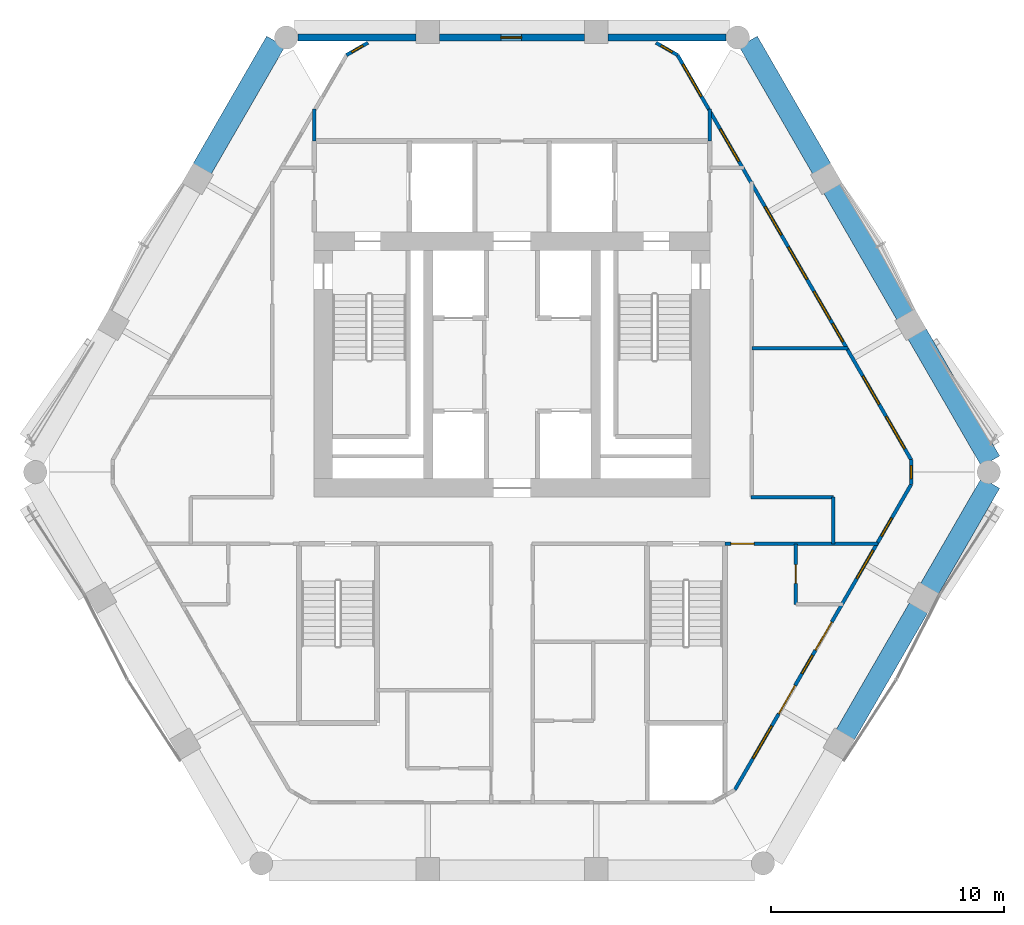
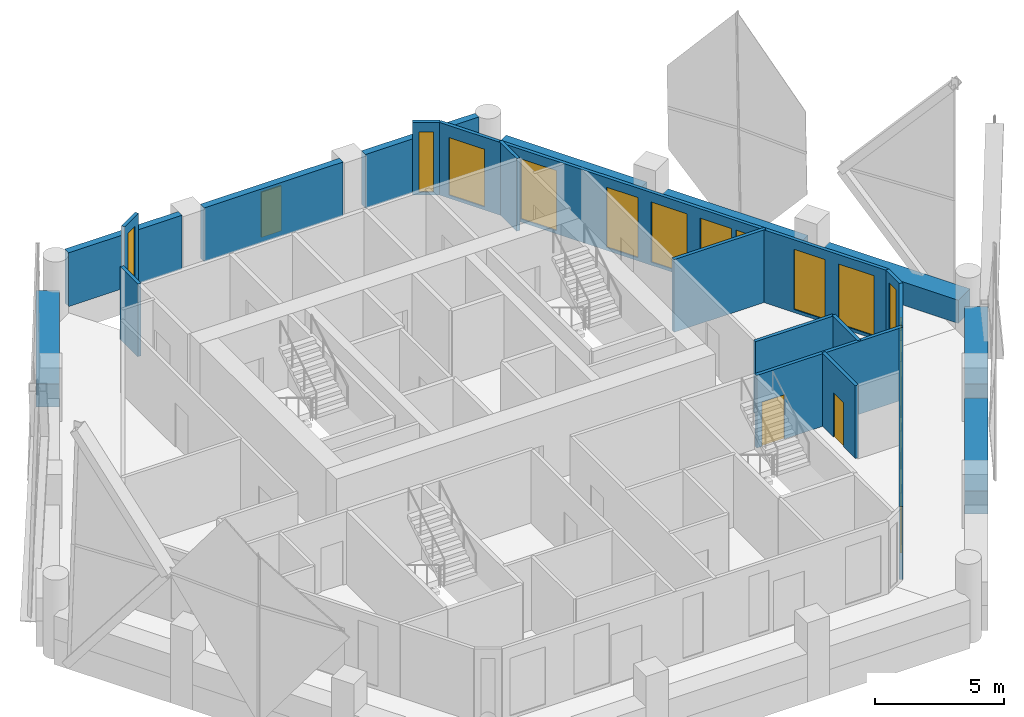
# One storey, part 10 of 13: 21 walls, 16 windows, 4 doors, 20 openings.
"""IFC4 building model written with IfcOpenShell, lengths in metres."""

from ifc_helpers import new_model, si_unit, direction, frame, frame_2d, origin, place, context, subcontext, project, spatial, rectangle, extrude, material, layer, layer_set, type_object, element, fill, save


model = new_model("IFC4")

# Units and contexts
model_context = context("Model", 3, precision=1e-05, world=origin(), true_north=direction((0.0, 1.0)))
body_context = subcontext(model_context, "Body", "Model", "MODEL_VIEW")
ifc_project = project(units=[si_unit("LENGTHUNIT", "METRE"), si_unit("AREAUNIT", "SQUARE_METRE"), si_unit("VOLUMEUNIT", "CUBIC_METRE"), si_unit("PLANEANGLEUNIT", "RADIAN"), si_unit("MASSUNIT", "GRAM", prefix="KILO")], contexts=[model_context])

# Site, building, storey
site_placement = place(None, origin())
site = spatial("IfcSite", under=ifc_project, at=site_placement, CompositionType="ELEMENT")
building_placement = place(site_placement, origin())
building = spatial("IfcBuilding", under=site, at=building_placement, Name="Ostrander Bayou Hotel Tower", CompositionType="ELEMENT")
storey_placement = place(building_placement, frame((0.0, 0.0, 187.0)))
storey = spatial("IfcBuildingStorey", under=building, at=storey_placement, Name="L46", CompositionType="ELEMENT", Elevation=187.0)

# Wall, openings, doors, windows
ifc_material_1 = material(Name="Aluminium framed insulated wall", Category="aluminium")
ifc_layer_1 = layer(ifc_material_1, 0.14990234375)
ifc_layer_set_1 = layer_set([ifc_layer_1], Name="GW1 glass-line wall 150 mm")
wall_type_1 = type_object("IfcWallType", Name="GW1 glass-line wall 150 mm", PredefinedType="SOLIDWALL", material=ifc_layer_set_1)
wall_1_placement = place(storey_placement, frame((9.572021484375, -14.2705078125, 0.0), z_axis=(0.0, 0.0, 1.0), x_axis=(0.500005248668, 0.866022373443, 0.0)))
wall_1 = element("IfcWall", 1, at=wall_1_placement, inside=storey, type_object=wall_type_1, Name="GW1 L46 SE 1", PredefinedType="SOLIDWALL", context=body_context, shape_type="SweptSolid", body=[
    extrude(rectangle(XDim=15.145263671875, YDim=0.14990234375, at=frame_2d((7.57275390625, 0.0))), origin(), (0.0, 0.0, 1.0), 3.449951171875),
])
opening_1_placement = place(wall_1_placement, frame((1.57275390625, 0.0, 0.14990234375)))
opening_1 = element("IfcOpeningElement", 2, at=opening_1_placement, cuts=wall_1, Name="Opening W3", PredefinedType="OPENING", context=body_context, shape_type="SweptSolid", body=[
    extrude(rectangle(XDim=1.60009765625, YDim=2.85009765625, at=frame_2d((0.800048828125, 1.425048828125))), frame((0.0, 0.074951171875, 0.0), z_axis=(0.0, -1.0, 0.0), x_axis=(1.0, 0.0, 0.0)), (0.0, 0.0, 1.0), 0.14990234375),
])
opening_2_placement = place(wall_1_placement, frame((3.772705078125, 0.0, 0.0)))
opening_2 = element("IfcOpeningElement", 3, at=opening_2_placement, cuts=wall_1, Name="Opening T44-804", PredefinedType="OPENING", context=body_context, shape_type="SweptSolid", body=[
    extrude(rectangle(XDim=1.39990234375, YDim=2.39990234375, at=frame_2d((0.699951171875, 1.199951171875))), frame((0.0, 0.074951171875, 0.0), z_axis=(0.0, -1.0, 0.0), x_axis=(1.0, 0.0, 0.0)), (0.0, 0.0, 1.0), 0.14990234375),
])
opening_3_placement = place(wall_1_placement, frame((5.772705078125, 0.0, 0.14990234375)))
opening_3 = element("IfcOpeningElement", 4, at=opening_3_placement, cuts=wall_1, Name="Opening W17", PredefinedType="OPENING", context=body_context, shape_type="SweptSolid", body=[
    extrude(rectangle(XDim=0.89990234375, YDim=2.85009765625, at=frame_2d((0.449951171875, 1.425048828125))), frame((0.0, 0.074951171875, 0.0), z_axis=(0.0, -1.0, 0.0), x_axis=(1.0, 0.0, 0.0)), (0.0, 0.0, 1.0), 0.14990234375),
])
opening_4_placement = place(wall_1_placement, frame((6.9296875, 0.0, 0.0)))
opening_4 = element("IfcOpeningElement", 5, at=opening_4_placement, cuts=wall_1, Name="Opening T44-805", PredefinedType="OPENING", context=body_context, shape_type="SweptSolid", body=[
    extrude(rectangle(XDim=1.39990234375, YDim=2.39990234375, at=frame_2d((0.699951171875, 1.199951171875))), frame((0.0, 0.074951171875, 0.0), z_axis=(0.0, -1.0, 0.0), x_axis=(1.0, 0.0, 0.0)), (0.0, 0.0, 1.0), 0.14990234375),
])
opening_5_placement = place(wall_1_placement, frame((12.581787109375, 0.0, 0.14990234375)))
opening_5 = element("IfcOpeningElement", 6, at=opening_5_placement, cuts=wall_1, Name="Opening W17", PredefinedType="OPENING", context=body_context, shape_type="SweptSolid", body=[
    extrude(rectangle(XDim=0.89990234375, YDim=2.85009765625, at=frame_2d((0.449951171875, 1.425048828125))), frame((0.0, 0.074951171875, 0.0), z_axis=(0.0, -1.0, 0.0), x_axis=(1.0, 0.0, 0.0)), (0.0, 0.0, 1.0), 0.14990234375),
])
opening_6_placement = place(wall_1_placement, frame((10.48193359375, 0.0, 0.14990234375)))
opening_6 = element("IfcOpeningElement", 7, at=opening_6_placement, cuts=wall_1, Name="Opening W13", PredefinedType="OPENING", context=body_context, shape_type="SweptSolid", body=[
    extrude(rectangle(XDim=1.39990234375, YDim=2.85009765625, at=frame_2d((0.699951171875, 1.425048828125))), frame((0.0, 0.074951171875, 0.0), z_axis=(0.0, -1.0, 0.0), x_axis=(1.0, 0.0, 0.0)), (0.0, 0.0, 1.0), 0.14990234375),
])
ifc_material_2 = material(Name="Aluminium and clear glass", Category="aluminium")
door_type_1 = type_object("IfcDoorType", Name="SD3 sliding glass door 1400 mm, zone 3", OperationType="SLIDING_TO_LEFT", PredefinedType="DOOR", material=ifc_material_2)
door_1_placement = place(opening_2_placement, origin())
door_1 = element("IfcDoor", 8, at=door_1_placement, inside=storey, type_object=door_type_1, Name="SD3 L46 SE 1", OperationType="SLIDING_TO_LEFT", OverallHeight=2.39990234375, OverallWidth=1.39990234375, PredefinedType="DOOR", context=body_context, shape_type="SweptSolid", body=[
    extrude(rectangle(XDim=1.39990234375, YDim=2.39990234375, at=frame_2d((0.699951171875, 1.199951171875))), frame((0.0, 0.02490234375, 0.0), z_axis=(0.0, -1.0, 0.0), x_axis=(1.0, 0.0, 0.0)), (0.0, 0.0, 1.0), 0.050048828125),
])
fill(opening_2, door_1)
door_2_placement = place(opening_4_placement, origin())
door_2 = element("IfcDoor", 9, at=door_2_placement, inside=storey, type_object=door_type_1, Name="SD3 L46 SE 2", OperationType="SLIDING_TO_RIGHT", OverallHeight=2.39990234375, OverallWidth=1.39990234375, PredefinedType="DOOR", context=body_context, shape_type="SweptSolid", body=[
    extrude(rectangle(XDim=1.39990234375, YDim=2.39990234375, at=frame_2d((0.699951171875, 1.199951171875))), frame((0.0, 0.02490234375, 0.0), z_axis=(0.0, -1.0, 0.0), x_axis=(1.0, 0.0, 0.0)), (0.0, 0.0, 1.0), 0.050048828125),
])
fill(opening_4, door_2)
ifc_material_3 = material(Name="Aluminium and clear glass", Category="aluminium")
window_type_1 = type_object("IfcWindowType", Name="W13 fixed window 1400 mm, bath bay, zone 3", PartitioningType="SINGLE_PANEL", PredefinedType="WINDOW", material=ifc_material_3)
window_1_placement = place(opening_6_placement, origin())
window_1 = element("IfcWindow", 10, at=window_1_placement, inside=storey, type_object=window_type_1, Name="W13 L46 SE 3", OverallHeight=2.85009765625, OverallWidth=1.39990234375, PartitioningType="SINGLE_PANEL", PredefinedType="WINDOW", context=body_context, shape_type="SweptSolid", body=[
    extrude(rectangle(XDim=1.39990234375, YDim=2.85009765625, at=frame_2d((0.699951171875, 1.425048828125))), frame((0.0, 0.030029296875, 0.0), z_axis=(0.0, -1.0, 0.0), x_axis=(1.0, 0.0, 0.0)), (0.0, 0.0, 1.0), 0.06005859375),
])
fill(opening_6, window_1)
ifc_material_4 = material(Name="Aluminium and clear glass", Category="aluminium")
window_type_2 = type_object("IfcWindowType", Name="W17 window 900 mm, zone 3", PartitioningType="SINGLE_PANEL", PredefinedType="WINDOW", material=ifc_material_4)
window_2_placement = place(opening_3_placement, origin())
window_2 = element("IfcWindow", 11, at=window_2_placement, inside=storey, type_object=window_type_2, Name="W17 L46 SE 2", OverallHeight=2.85009765625, OverallWidth=0.89990234375, PartitioningType="SINGLE_PANEL", PredefinedType="WINDOW", context=body_context, shape_type="SweptSolid", body=[
    extrude(rectangle(XDim=0.89990234375, YDim=2.85009765625, at=frame_2d((0.449951171875, 1.425048828125))), frame((0.0, 0.030029296875, 0.0), z_axis=(0.0, -1.0, 0.0), x_axis=(1.0, 0.0, 0.0)), (0.0, 0.0, 1.0), 0.06005859375),
])
fill(opening_3, window_2)
window_3_placement = place(opening_5_placement, origin())
window_3 = element("IfcWindow", 12, at=window_3_placement, inside=storey, type_object=window_type_2, Name="W17 L46 SE 3", OverallHeight=2.85009765625, OverallWidth=0.89990234375, PartitioningType="SINGLE_PANEL", PredefinedType="WINDOW", context=body_context, shape_type="SweptSolid", body=[
    extrude(rectangle(XDim=0.89990234375, YDim=2.85009765625, at=frame_2d((0.449951171875, 1.425048828125))), frame((0.0, 0.030029296875, 0.0), z_axis=(0.0, -1.0, 0.0), x_axis=(1.0, 0.0, 0.0)), (0.0, 0.0, 1.0), 0.06005859375),
])
fill(opening_5, window_3)
ifc_material_5 = material(Name="Aluminium and clear glass", Category="aluminium")
window_type_3 = type_object("IfcWindowType", Name="W3 fixed window 1600 mm, zone 3", PartitioningType="SINGLE_PANEL", PredefinedType="WINDOW", material=ifc_material_5)
window_4_placement = place(opening_1_placement, origin())
window_4 = element("IfcWindow", 13, at=window_4_placement, inside=storey, type_object=window_type_3, Name="W3 L46 SE 1", OverallHeight=2.85009765625, OverallWidth=1.60009765625, PartitioningType="SINGLE_PANEL", PredefinedType="WINDOW", context=body_context, shape_type="SweptSolid", body=[
    extrude(rectangle(XDim=1.60009765625, YDim=2.85009765625, at=frame_2d((0.800048828125, 1.425048828125))), frame((0.0, 0.030029296875, 0.0), z_axis=(0.0, -1.0, 0.0), x_axis=(1.0, 0.0, 0.0)), (0.0, 0.0, 1.0), 0.06005859375),
])
fill(opening_1, window_4)

# Wall, openings, windows
wall_2_placement = place(storey_placement, frame((17.144775390625, -0.08935546875, 0.0), z_axis=(0.0, 0.0, 1.0), x_axis=(-0.499999728453, 0.866025560562, 0.0)))
wall_2 = element("IfcWall", 14, at=wall_2_placement, inside=storey, type_object=wall_type_1, Name="GW1 L46 NE 1", PredefinedType="SOLIDWALL", context=body_context, shape_type="SweptSolid", body=[
    extrude(rectangle(XDim=20.07080078125, YDim=0.14990234375, at=frame_2d((10.035400390625, 0.0))), origin(), (0.0, 0.0, 1.0), 3.449951171875),
])
opening_7_placement = place(wall_2_placement, frame((0.5498046875, 0.0, 0.14990234375)))
opening_7 = element("IfcOpeningElement", 15, at=opening_7_placement, cuts=wall_2, Name="Opening W3", PredefinedType="OPENING", context=body_context, shape_type="SweptSolid", body=[
    extrude(rectangle(XDim=1.60009765625, YDim=2.85009765625, at=frame_2d((0.800048828125, 1.425048828125))), frame((0.0, 0.074951171875, 0.0), z_axis=(0.0, -1.0, 0.0), x_axis=(1.0, 0.0, 0.0)), (0.0, 0.0, 1.0), 0.14990234375),
])
opening_8_placement = place(wall_2_placement, frame((2.749755859375, 0.0, 0.14990234375)))
opening_8 = element("IfcOpeningElement", 16, at=opening_8_placement, cuts=wall_2, Name="Opening W13", PredefinedType="OPENING", context=body_context, shape_type="SweptSolid", body=[
    extrude(rectangle(XDim=1.39990234375, YDim=2.85009765625, at=frame_2d((0.699951171875, 1.425048828125))), frame((0.0, 0.074951171875, 0.0), z_axis=(0.0, -1.0, 0.0), x_axis=(1.0, 0.0, 0.0)), (0.0, 0.0, 1.0), 0.14990234375),
])
opening_9_placement = place(wall_2_placement, frame((5.85400390625, 0.0, 0.14990234375)))
opening_9 = element("IfcOpeningElement", 17, at=opening_9_placement, cuts=wall_2, Name="Opening W17", PredefinedType="OPENING", context=body_context, shape_type="SweptSolid", body=[
    extrude(rectangle(XDim=0.89990234375, YDim=2.85009765625, at=frame_2d((0.449951171875, 1.425048828125))), frame((0.0, 0.074951171875, 0.0), z_axis=(0.0, -1.0, 0.0), x_axis=(1.0, 0.0, 0.0)), (0.0, 0.0, 1.0), 0.14990234375),
])
opening_10_placement = place(wall_2_placement, frame((6.94970703125, 0.0, 0.14990234375)))
opening_10 = element("IfcOpeningElement", 18, at=opening_10_placement, cuts=wall_2, Name="Opening W13", PredefinedType="OPENING", context=body_context, shape_type="SweptSolid", body=[
    extrude(rectangle(XDim=1.39990234375, YDim=2.85009765625, at=frame_2d((0.699951171875, 1.425048828125))), frame((0.0, 0.074951171875, 0.0), z_axis=(0.0, -1.0, 0.0), x_axis=(1.0, 0.0, 0.0)), (0.0, 0.0, 1.0), 0.14990234375),
])
opening_11_placement = place(wall_2_placement, frame((8.94970703125, 0.0, 0.14990234375)))
opening_11 = element("IfcOpeningElement", 19, at=opening_11_placement, cuts=wall_2, Name="Opening W3", PredefinedType="OPENING", context=body_context, shape_type="SweptSolid", body=[
    extrude(rectangle(XDim=1.60009765625, YDim=2.85009765625, at=frame_2d((0.800048828125, 1.425048828125))), frame((0.0, 0.074951171875, 0.0), z_axis=(0.0, -1.0, 0.0), x_axis=(1.0, 0.0, 0.0)), (0.0, 0.0, 1.0), 0.14990234375),
])
opening_12_placement = place(wall_2_placement, frame((11.14990234375, 0.0, 0.14990234375)))
opening_12 = element("IfcOpeningElement", 20, at=opening_12_placement, cuts=wall_2, Name="Opening W13", PredefinedType="OPENING", context=body_context, shape_type="SweptSolid", body=[
    extrude(rectangle(XDim=1.39990234375, YDim=2.85009765625, at=frame_2d((0.699951171875, 1.425048828125))), frame((0.0, 0.074951171875, 0.0), z_axis=(0.0, -1.0, 0.0), x_axis=(1.0, 0.0, 0.0)), (0.0, 0.0, 1.0), 0.14990234375),
])
opening_13_placement = place(wall_2_placement, frame((14.80322265625, 0.0, 0.14990234375)))
opening_13 = element("IfcOpeningElement", 21, at=opening_13_placement, cuts=wall_2, Name="Opening W3", PredefinedType="OPENING", context=body_context, shape_type="SweptSolid", body=[
    extrude(rectangle(XDim=1.60009765625, YDim=2.85009765625, at=frame_2d((0.800048828125, 1.425048828125))), frame((0.0, 0.074951171875, 0.0), z_axis=(0.0, -1.0, 0.0), x_axis=(1.0, 0.0, 0.0)), (0.0, 0.0, 1.0), 0.14990234375),
])
opening_14_placement = place(wall_2_placement, frame((18.019287109375, 0.0, 0.14990234375)))
opening_14 = element("IfcOpeningElement", 22, at=opening_14_placement, cuts=wall_2, Name="Opening W3", PredefinedType="OPENING", context=body_context, shape_type="SweptSolid", body=[
    extrude(rectangle(XDim=1.60009765625, YDim=2.72998046875, at=frame_2d((0.800048828125, 1.364990234375))), frame((0.0, 0.074951171875, 0.0), z_axis=(0.0, -1.0, 0.0), x_axis=(1.0, 0.0, 0.0)), (0.0, 0.0, 1.0), 0.14990234375),
])
window_5_placement = place(opening_8_placement, origin())
window_5 = element("IfcWindow", 23, at=window_5_placement, inside=storey, type_object=window_type_1, Name="W13 L46 NE 1", OverallHeight=2.85009765625, OverallWidth=1.39990234375, PartitioningType="SINGLE_PANEL", PredefinedType="WINDOW", context=body_context, shape_type="SweptSolid", body=[
    extrude(rectangle(XDim=1.39990234375, YDim=2.85009765625, at=frame_2d((0.699951171875, 1.425048828125))), frame((0.0, 0.030029296875, 0.0), z_axis=(0.0, -1.0, 0.0), x_axis=(1.0, 0.0, 0.0)), (0.0, 0.0, 1.0), 0.06005859375),
])
fill(opening_8, window_5)
window_6_placement = place(opening_10_placement, origin())
window_6 = element("IfcWindow", 24, at=window_6_placement, inside=storey, type_object=window_type_1, Name="W13 L46 NE 2", OverallHeight=2.85009765625, OverallWidth=1.39990234375, PartitioningType="SINGLE_PANEL", PredefinedType="WINDOW", context=body_context, shape_type="SweptSolid", body=[
    extrude(rectangle(XDim=1.39990234375, YDim=2.85009765625, at=frame_2d((0.699951171875, 1.425048828125))), frame((0.0, 0.030029296875, 0.0), z_axis=(0.0, -1.0, 0.0), x_axis=(1.0, 0.0, 0.0)), (0.0, 0.0, 1.0), 0.06005859375),
])
fill(opening_10, window_6)
window_7_placement = place(opening_12_placement, origin())
window_7 = element("IfcWindow", 25, at=window_7_placement, inside=storey, type_object=window_type_1, Name="W13 L46 NE 3", OverallHeight=2.85009765625, OverallWidth=1.39990234375, PartitioningType="SINGLE_PANEL", PredefinedType="WINDOW", context=body_context, shape_type="SweptSolid", body=[
    extrude(rectangle(XDim=1.39990234375, YDim=2.85009765625, at=frame_2d((0.699951171875, 1.425048828125))), frame((0.0, 0.030029296875, 0.0), z_axis=(0.0, -1.0, 0.0), x_axis=(1.0, 0.0, 0.0)), (0.0, 0.0, 1.0), 0.06005859375),
])
fill(opening_12, window_7)
window_8_placement = place(opening_9_placement, origin())
window_8 = element("IfcWindow", 26, at=window_8_placement, inside=storey, type_object=window_type_2, Name="W17 L46 NE 2", OverallHeight=2.85009765625, OverallWidth=0.89990234375, PartitioningType="SINGLE_PANEL", PredefinedType="WINDOW", context=body_context, shape_type="SweptSolid", body=[
    extrude(rectangle(XDim=0.89990234375, YDim=2.85009765625, at=frame_2d((0.449951171875, 1.425048828125))), frame((0.0, 0.030029296875, 0.0), z_axis=(0.0, -1.0, 0.0), x_axis=(1.0, 0.0, 0.0)), (0.0, 0.0, 1.0), 0.06005859375),
])
fill(opening_9, window_8)
window_9_placement = place(opening_7_placement, origin())
window_9 = element("IfcWindow", 27, at=window_9_placement, inside=storey, type_object=window_type_3, Name="W3 L46 NE 1", OverallHeight=2.85009765625, OverallWidth=1.60009765625, PartitioningType="SINGLE_PANEL", PredefinedType="WINDOW", context=body_context, shape_type="SweptSolid", body=[
    extrude(rectangle(XDim=1.60009765625, YDim=2.85009765625, at=frame_2d((0.800048828125, 1.425048828125))), frame((0.0, 0.030029296875, 0.0), z_axis=(0.0, -1.0, 0.0), x_axis=(1.0, 0.0, 0.0)), (0.0, 0.0, 1.0), 0.06005859375),
])
fill(opening_7, window_9)
window_10_placement = place(opening_11_placement, origin())
window_10 = element("IfcWindow", 28, at=window_10_placement, inside=storey, type_object=window_type_3, Name="W3 L46 NE 3", OverallHeight=2.85009765625, OverallWidth=1.60009765625, PartitioningType="SINGLE_PANEL", PredefinedType="WINDOW", context=body_context, shape_type="SweptSolid", body=[
    extrude(rectangle(XDim=1.60009765625, YDim=2.85009765625, at=frame_2d((0.800048828125, 1.425048828125))), frame((0.0, 0.030029296875, 0.0), z_axis=(0.0, -1.0, 0.0), x_axis=(1.0, 0.0, 0.0)), (0.0, 0.0, 1.0), 0.06005859375),
])
fill(opening_11, window_10)
window_11_placement = place(opening_13_placement, origin())
window_11 = element("IfcWindow", 29, at=window_11_placement, inside=storey, type_object=window_type_3, Name="W3 L46 NE 4", OverallHeight=2.85009765625, OverallWidth=1.60009765625, PartitioningType="SINGLE_PANEL", PredefinedType="WINDOW", context=body_context, shape_type="SweptSolid", body=[
    extrude(rectangle(XDim=1.60009765625, YDim=2.85009765625, at=frame_2d((0.800048828125, 1.425048828125))), frame((0.0, 0.030029296875, 0.0), z_axis=(0.0, -1.0, 0.0), x_axis=(1.0, 0.0, 0.0)), (0.0, 0.0, 1.0), 0.06005859375),
])
fill(opening_13, window_11)
window_12_placement = place(opening_14_placement, origin())
window_12 = element("IfcWindow", 30, at=window_12_placement, inside=storey, type_object=window_type_3, Name="W3 L46 NE E21", OverallHeight=2.72998046875, OverallWidth=1.60009765625, PartitioningType="SINGLE_PANEL", PredefinedType="WINDOW", context=body_context, shape_type="SweptSolid", body=[
    extrude(rectangle(XDim=1.60009765625, YDim=2.72998046875, at=frame_2d((0.800048828125, 1.364990234375))), frame((0.0, 0.030029296875, 0.0), z_axis=(0.0, -1.0, 0.0), x_axis=(1.0, 0.0, 0.0)), (0.0, 0.0, 1.0), 0.06005859375),
])
fill(opening_14, window_12)

# Wall, opening, window
wall_3_placement = place(storey_placement, frame((-6.18701171875, 17.824951171875, 0.0), z_axis=(0.0, 0.0, 1.0), x_axis=(-0.866048165231, -0.499960573946, 0.0)))
wall_3 = element("IfcWall", 31, at=wall_3_placement, inside=storey, type_object=wall_type_1, Name="GW1 L46 corner 1", PredefinedType="SOLIDWALL", context=body_context, shape_type="SweptSolid", body=[
    extrude(rectangle(XDim=1.06494140625, YDim=0.14990234375, at=frame_2d((0.532470703125, 0.0))), origin(), (0.0, 0.0, 1.0), 3.449951171875),
])
opening_15_placement = place(wall_3_placement, frame((0.257568359375, 0.0, 0.14990234375)))
opening_15 = element("IfcOpeningElement", 32, at=opening_15_placement, cuts=wall_3, Name="Opening W19", PredefinedType="OPENING", context=body_context, shape_type="SweptSolid", body=[
    extrude(rectangle(XDim=0.550048828125, YDim=2.85009765625, at=frame_2d((0.27490234375, 1.425048828125))), frame((0.0, 0.074951171875, 0.0), z_axis=(0.0, -1.0, 0.0), x_axis=(1.0, 0.0, 0.0)), (0.0, 0.0, 1.0), 0.14990234375),
])
ifc_material_6 = material(Name="Aluminium and clear glass", Category="aluminium")
window_type_4 = type_object("IfcWindowType", Name="W19 corner window 550 mm", PartitioningType="SINGLE_PANEL", PredefinedType="WINDOW", material=ifc_material_6)
window_13_placement = place(opening_15_placement, origin())
window_13 = element("IfcWindow", 33, at=window_13_placement, inside=storey, type_object=window_type_4, Name="W19 L46 corner 1", OverallHeight=2.85009765625, OverallWidth=0.550048828125, PartitioningType="SINGLE_PANEL", PredefinedType="WINDOW", context=body_context, shape_type="SweptSolid", body=[
    extrude(rectangle(XDim=0.550048828125, YDim=2.85009765625, at=frame_2d((0.27490234375, 1.425048828125))), frame((0.0, 0.030029296875, 0.0), z_axis=(0.0, -1.0, 0.0), x_axis=(1.0, 0.0, 0.0)), (0.0, 0.0, 1.0), 0.06005859375),
])
fill(opening_15, window_13)

wall_4_placement = place(storey_placement, frame((17.144775390625, -1.154296875, 0.0), z_axis=(0.0, 0.0, 1.0), x_axis=(0.0, 1.0, 0.0)))
wall_4 = element("IfcWall", 34, at=wall_4_placement, inside=storey, type_object=wall_type_1, Name="GW1 L46 corner 5", PredefinedType="SOLIDWALL", context=body_context, shape_type="SweptSolid", body=[
    extrude(rectangle(XDim=1.06494140625, YDim=0.14990234375, at=frame_2d((0.532470703125, 0.0))), origin(), (0.0, 0.0, 1.0), 3.449951171875),
])
opening_16_placement = place(wall_4_placement, frame((0.257568359375, 0.0, 0.14990234375)))
opening_16 = element("IfcOpeningElement", 35, at=opening_16_placement, cuts=wall_4, Name="Opening W19", PredefinedType="OPENING", context=body_context, shape_type="SweptSolid", body=[
    extrude(rectangle(XDim=0.550048828125, YDim=2.85009765625, at=frame_2d((0.27490234375, 1.425048828125))), frame((0.0, 0.074951171875, 0.0), z_axis=(0.0, -1.0, 0.0), x_axis=(1.0, 0.0, 0.0)), (0.0, 0.0, 1.0), 0.14990234375),
])
window_14_placement = place(opening_16_placement, origin())
window_14 = element("IfcWindow", 36, at=window_14_placement, inside=storey, type_object=window_type_4, Name="W19 L46 corner 5", OverallHeight=2.85009765625, OverallWidth=0.550048828125, PartitioningType="SINGLE_PANEL", PredefinedType="WINDOW", context=body_context, shape_type="SweptSolid", body=[
    extrude(rectangle(XDim=0.550048828125, YDim=2.85009765625, at=frame_2d((0.27490234375, 1.425048828125))), frame((0.0, 0.030029296875, 0.0), z_axis=(0.0, -1.0, 0.0), x_axis=(1.0, 0.0, 0.0)), (0.0, 0.0, 1.0), 0.06005859375),
])
fill(opening_16, window_14)

wall_5_placement = place(storey_placement, frame((7.109375, 17.29248046875, 0.0), z_axis=(0.0, 0.0, 1.0), x_axis=(-0.866048165231, 0.499960573946, 0.0)))
wall_5 = element("IfcWall", 37, at=wall_5_placement, inside=storey, type_object=wall_type_1, Name="GW1 L46 corner 6", PredefinedType="SOLIDWALL", context=body_context, shape_type="SweptSolid", body=[
    extrude(rectangle(XDim=1.06494140625, YDim=0.14990234375, at=frame_2d((0.532470703125, 0.0))), origin(), (0.0, 0.0, 1.0), 3.449951171875),
])
opening_17_placement = place(wall_5_placement, frame((0.257568359375, 0.0, 0.14990234375)))
opening_17 = element("IfcOpeningElement", 38, at=opening_17_placement, cuts=wall_5, Name="Opening W19", PredefinedType="OPENING", context=body_context, shape_type="SweptSolid", body=[
    extrude(rectangle(XDim=0.550048828125, YDim=2.85009765625, at=frame_2d((0.27490234375, 1.425048828125))), frame((0.0, 0.074951171875, 0.0), z_axis=(0.0, -1.0, 0.0), x_axis=(1.0, 0.0, 0.0)), (0.0, 0.0, 1.0), 0.14990234375),
])
window_15_placement = place(opening_17_placement, origin())
window_15 = element("IfcWindow", 39, at=window_15_placement, inside=storey, type_object=window_type_4, Name="W19 L46 corner 6", OverallHeight=2.85009765625, OverallWidth=0.550048828125, PartitioningType="SINGLE_PANEL", PredefinedType="WINDOW", context=body_context, shape_type="SweptSolid", body=[
    extrude(rectangle(XDim=0.550048828125, YDim=2.85009765625, at=frame_2d((0.27490234375, 1.425048828125))), frame((0.0, 0.030029296875, 0.0), z_axis=(0.0, -1.0, 0.0), x_axis=(1.0, 0.0, 0.0)), (0.0, 0.0, 1.0), 0.06005859375),
])
fill(opening_17, window_15)

# Wall
ifc_material_7 = material(Name="Reconstituted stone on masonry backing", Category="masonry")
ifc_layer_2 = layer(ifc_material_7, 0.300048828125)
ifc_layer_set_2 = layer_set([ifc_layer_2], Name="NW1 north stone wall 300 mm")
wall_type_2 = type_object("IfcWallType", Name="NW1 north stone wall 300 mm", PredefinedType="SOLIDWALL", material=ifc_layer_set_2)
wall_6_placement = place(storey_placement, frame((9.200927734375, 18.050048828125, 0.0), z_axis=(0.0, 0.0, 1.0), x_axis=(-1.0, 0.0, 0.0)))
element("IfcWall", 40, at=wall_6_placement, inside=storey, type_object=wall_type_2, Name="NW1 L46 N-1", PredefinedType="SOLIDWALL", context=body_context, shape_type="SweptSolid", body=[
    extrude(rectangle(XDim=5.082763671875, YDim=0.300048828125, at=frame_2d((2.54150390625, 0.0))), origin(), (0.0, 0.0, 1.0), 2.550048828125),
])

# Wall, opening, window
wall_7_placement = place(storey_placement, frame((3.1181640625, 18.050048828125, 0.0), z_axis=(0.0, 0.0, 1.0), x_axis=(-1.0, 0.0, 0.0)))
wall_7 = element("IfcWall", 41, at=wall_7_placement, inside=storey, type_object=wall_type_2, Name="NW1 L46 N-2", PredefinedType="SOLIDWALL", context=body_context, shape_type="SweptSolid", body=[
    extrude(rectangle(XDim=6.236328125, YDim=0.300048828125, at=frame_2d((3.1181640625, 0.0))), origin(), (0.0, 0.0, 1.0), 2.550048828125),
])
opening_18_placement = place(wall_7_placement, frame((2.699951171875, 0.0, 0.14990234375)))
opening_18 = element("IfcOpeningElement", 42, at=opening_18_placement, cuts=wall_7, Name="Opening W17", PredefinedType="OPENING", context=body_context, shape_type="SweptSolid", body=[
    extrude(rectangle(XDim=0.89990234375, YDim=2.14990234375, at=frame_2d((0.449951171875, 1.074951171875))), frame((0.0, 0.14990234375, 0.0), z_axis=(0.0, -1.0, 0.0), x_axis=(1.0, 0.0, 0.0)), (0.0, 0.0, 1.0), 0.300048828125),
])
window_16_placement = place(opening_18_placement, origin())
window_16 = element("IfcWindow", 43, at=window_16_placement, inside=storey, type_object=window_type_2, Name="W17 L46 north N-2", OverallHeight=2.14990234375, OverallWidth=0.89990234375, PartitioningType="SINGLE_PANEL", PredefinedType="WINDOW", context=body_context, shape_type="SweptSolid", body=[
    extrude(rectangle(XDim=0.89990234375, YDim=2.14990234375, at=frame_2d((0.449951171875, 1.074951171875))), frame((0.0, 0.030029296875, 0.0), z_axis=(0.0, -1.0, 0.0), x_axis=(1.0, 0.0, 0.0)), (0.0, 0.0, 1.0), 0.06005859375),
])
fill(opening_18, window_16)

# Walls
wall_8_placement = place(storey_placement, frame((-4.1181640625, 18.050048828125, 0.0), z_axis=(0.0, 0.0, 1.0), x_axis=(-1.0, 0.0, 0.0)))
element("IfcWall", 44, at=wall_8_placement, inside=storey, type_object=wall_type_2, Name="NW1 L46 N-3", PredefinedType="SOLIDWALL", context=body_context, shape_type="SweptSolid", body=[
    extrude(rectangle(XDim=5.082763671875, YDim=0.300048828125, at=frame_2d((2.54150390625, 0.0))), origin(), (0.0, 0.0, 1.0), 2.550048828125),
])
ifc_material_8 = material(Name="Concrete f'c 40 MPa", Category="concrete")
ifc_layer_3 = layer(ifc_material_8, 0.89990234375)
ifc_layer_set_3 = layer_set([ifc_layer_3], Name="PA1 stone-faced parapet 900 mm")
wall_type_3 = type_object("IfcWallType", Name="PA1 stone-faced parapet 900 mm", PredefinedType="PARAPET", material=ifc_layer_set_3)
wall_9_placement = place(storey_placement, frame((-10.1474609375, 17.88037109375, 0.0), z_axis=(0.0, 0.0, 1.0), x_axis=(-0.500000968981, -0.866024844342, 0.0)))
element("IfcWall", 45, at=wall_9_placement, inside=storey, type_object=wall_type_3, Name="PA1 L46 NW-1", PredefinedType="PARAPET", context=body_context, shape_type="SweptSolid", body=[
    extrude(rectangle(XDim=6.3232421875, YDim=0.89990234375, at=frame_2d((3.16162109375, 0.0))), origin(), (0.0, 0.0, 1.0), 1.10009765625),
])
wall_10_placement = place(storey_placement, frame((20.55859375, -0.152099609375, 0.0), z_axis=(0.0, 0.0, 1.0), x_axis=(-0.500017688138, 0.866015191293, 0.0)))
element("IfcWall", 46, at=wall_10_placement, inside=storey, type_object=wall_type_3, Name="PA1 L46 NE-1", PredefinedType="PARAPET", context=body_context, shape_type="SweptSolid", body=[
    extrude(rectangle(XDim=6.322998046875, YDim=0.89990234375, at=frame_2d((3.16162109375, 0.0))), origin(), (0.0, 0.0, 1.0), 1.10009765625),
])
wall_11_placement = place(storey_placement, frame((16.927001953125, 6.1376953125, 0.0), z_axis=(0.0, 0.0, 1.0), x_axis=(-0.499984268907, 0.866034485945, 0.0)))
element("IfcWall", 47, at=wall_11_placement, inside=storey, type_object=wall_type_3, Name="PA1 L46 NE-2", PredefinedType="PARAPET", context=body_context, shape_type="SweptSolid", body=[
    extrude(rectangle(XDim=6.296142578125, YDim=0.89990234375, at=frame_2d((3.14794921875, 0.0))), origin(), (0.0, 0.0, 1.0), 1.10009765625),
])
wall_12_placement = place(storey_placement, frame((13.30908203125, 12.404296875, 0.0), z_axis=(0.0, 0.0, 1.0), x_axis=(-0.500000968981, 0.866024844342, 0.0)))
element("IfcWall", 48, at=wall_12_placement, inside=storey, type_object=wall_type_3, Name="PA1 L46 NE-3", PredefinedType="PARAPET", context=body_context, shape_type="SweptSolid", body=[
    extrude(rectangle(XDim=6.3232421875, YDim=0.89990234375, at=frame_2d((3.16162109375, 0.0))), origin(), (0.0, 0.0, 1.0), 1.10009765625),
])
ifc_material_9 = material(Name="Limestone masonry", Category="masonry")
ifc_layer_4 = layer(ifc_material_9, 0.89990234375)
ifc_layer_set_4 = layer_set([ifc_layer_4], Name="PA2 limestone parapet 900 mm")
wall_type_4 = type_object("IfcWallType", Name="PA2 limestone parapet 900 mm", PredefinedType="PARAPET", material=ifc_layer_set_4)
wall_13_placement = place(storey_placement, frame((14.3173828125, -11.9013671875, 0.0), z_axis=(0.0, 0.0, 1.0), x_axis=(0.500013351051, 0.866017695414, 0.0)))
element("IfcWall", 49, at=wall_13_placement, inside=storey, type_object=wall_type_4, Name="PA2 L46 SE-2", PredefinedType="PARAPET", context=body_context, shape_type="SweptSolid", body=[
    extrude(rectangle(XDim=6.296142578125, YDim=0.89990234375, at=frame_2d((3.14794921875, 0.0))), origin(), (0.0, 0.0, 1.0), 1.10009765625),
])
wall_14_placement = place(storey_placement, frame((17.935546875, -5.634521484375, 0.0), z_axis=(0.0, 0.0, 1.0), x_axis=(0.500023253097, 0.866011978186, 0.0)))
element("IfcWall", 50, at=wall_14_placement, inside=storey, type_object=wall_type_4, Name="PA2 L46 SE-3", PredefinedType="PARAPET", context=body_context, shape_type="SweptSolid", body=[
    extrude(rectangle(XDim=5.245849609375, YDim=0.89990234375, at=frame_2d((2.623046875, 0.0))), origin(), (0.0, 0.0, 1.0), 1.10009765625),
])

# Wall, opening, door
ifc_material_10 = material(Name="Gypsum board partition", Category="finish")
ifc_layer_5 = layer(ifc_material_10, 0.14990234375)
ifc_layer_set_5 = layer_set([ifc_layer_5], Name="PT8 service band wall 150 mm, 1 hour")
wall_type_5 = type_object("IfcWallType", Name="PT8 service band wall 150 mm, 1 hour", PredefinedType="PARTITIONING", material=ifc_layer_set_5)
wall_15_placement = place(storey_placement, frame((9.159912109375, -3.699951171875, 0.0), z_axis=(0.0, 0.0, 1.0), x_axis=(1.0, 0.0, 0.0)))
wall_15 = element("IfcWall", 51, at=wall_15_placement, inside=storey, type_object=wall_type_5, Name="gw:L46:011", PredefinedType="PARTITIONING", context=body_context, shape_type="SweptSolid", body=[
    extrude(rectangle(XDim=6.567138671875, YDim=0.14990234375, at=frame_2d((3.28369140625, 0.0))), origin(), (0.0, 0.0, 1.0), 3.449951171875),
])
opening_19_placement = place(wall_15_placement, frame((0.239990234375, 0.0, 0.0)))
opening_19 = element("IfcOpeningElement", 52, at=opening_19_placement, cuts=wall_15, Name="Opening T44-408", PredefinedType="OPENING", context=body_context, shape_type="SweptSolid", body=[
    extrude(rectangle(XDim=1.0, YDim=2.10009765625, at=frame_2d((0.5, 1.050048828125))), frame((0.0, 0.074951171875, 0.0), z_axis=(0.0, -1.0, 0.0), x_axis=(1.0, 0.0, 0.0)), (0.0, 0.0, 1.0), 0.14990234375),
])
ifc_material_11 = material(Name="Timber door leaf", Category="wood")
door_type_2 = type_object("IfcDoorType", Name="D1 guest room door 1000 x 2100 mm, 30 minute", OperationType="SINGLE_SWING_LEFT", PredefinedType="DOOR", material=ifc_material_11)
door_3_placement = place(opening_19_placement, origin())
door_3 = element("IfcDoor", 53, at=door_3_placement, inside=storey, type_object=door_type_2, Name="dr:L46:408", OperationType="SINGLE_SWING_LEFT", OverallHeight=2.10009765625, OverallWidth=1.0, PredefinedType="DOOR", context=body_context, shape_type="SweptSolid", body=[
    extrude(rectangle(XDim=1.0, YDim=2.10009765625, at=frame_2d((0.5, 1.050048828125))), frame((0.0, 0.02490234375, 0.0), z_axis=(0.0, -1.0, 0.0), x_axis=(1.0, 0.0, 0.0)), (0.0, 0.0, 1.0), 0.050048828125),
])
fill(opening_19, door_3)

# Walls
wall_16_placement = place(storey_placement, frame((10.260009765625, -1.699951171875, 0.0), z_axis=(0.0, 0.0, 1.0), x_axis=(1.0, 0.0, 0.0)))
element("IfcWall", 54, at=wall_16_placement, inside=storey, type_object=wall_type_5, Name="gw:L46:013", PredefinedType="PARTITIONING", context=body_context, shape_type="SweptSolid", body=[
    extrude(rectangle(XDim=3.5400390625, YDim=0.14990234375, at=frame_2d((1.77001953125, 0.0))), origin(), (0.0, 0.0, 1.0), 3.449951171875),
])
wall_17_placement = place(storey_placement, frame((10.300048828125, 4.699951171875, 0.0), z_axis=(0.0, 0.0, 1.0), x_axis=(1.0, 0.0, 0.0)))
element("IfcWall", 55, at=wall_17_placement, inside=storey, type_object=wall_type_5, Name="gw:L46:015", PredefinedType="PARTITIONING", context=body_context, shape_type="SweptSolid", body=[
    extrude(rectangle(XDim=4.1318359375, YDim=0.14990234375, at=frame_2d((2.06591796875, 0.0))), origin(), (0.0, 0.0, 1.0), 3.449951171875),
])
wall_18_placement = place(storey_placement, frame((13.800048828125, -3.699951171875, 0.0), z_axis=(0.0, 0.0, 1.0), x_axis=(0.0, 1.0, 0.0)))
element("IfcWall", 56, at=wall_18_placement, inside=storey, type_object=wall_type_5, Name="gw:L46:018", PredefinedType="PARTITIONING", context=body_context, shape_type="SweptSolid", body=[
    extrude(rectangle(XDim=2.0, YDim=0.14990234375, at=frame_2d((1.0, 0.0))), origin(), (0.0, 0.0, 1.0), 3.449951171875),
])

# Wall, opening, door
wall_19_placement = place(storey_placement, frame((12.195068359375, -6.300048828125, 0.0), z_axis=(0.0, 0.0, 1.0), x_axis=(0.0, 1.0, 0.0)))
wall_19 = element("IfcWall", 57, at=wall_19_placement, inside=storey, type_object=wall_type_5, Name="gw:L46:019", PredefinedType="PARTITIONING", context=body_context, shape_type="SweptSolid", body=[
    extrude(rectangle(XDim=2.60009765625, YDim=0.14990234375, at=frame_2d((1.300048828125, 0.0))), origin(), (0.0, 0.0, 1.0), 3.449951171875),
])
opening_20_placement = place(wall_19_placement, frame((0.89990234375, 0.0, 0.0)))
opening_20 = element("IfcOpeningElement", 58, at=opening_20_placement, cuts=wall_19, Name="Opening T44-409", PredefinedType="OPENING", context=body_context, shape_type="SweptSolid", body=[
    extrude(rectangle(XDim=0.800048828125, YDim=2.10009765625, at=frame_2d((0.39990234375, 1.050048828125))), frame((0.0, 0.074951171875, 0.0), z_axis=(0.0, -1.0, 0.0), x_axis=(1.0, 0.0, 0.0)), (0.0, 0.0, 1.0), 0.14990234375),
])
ifc_material_12 = material(Name="Timber door leaf", Category="wood")
door_type_3 = type_object("IfcDoorType", Name="D2 bathroom door 800 x 2100 mm", OperationType="SINGLE_SWING_LEFT", PredefinedType="DOOR", material=ifc_material_12)
door_4_placement = place(opening_20_placement, origin())
door_4 = element("IfcDoor", 59, at=door_4_placement, inside=storey, type_object=door_type_3, Name="dr:L46:409", OperationType="SINGLE_SWING_RIGHT", OverallHeight=2.10009765625, OverallWidth=0.800048828125, PredefinedType="DOOR", context=body_context, shape_type="SweptSolid", body=[
    extrude(rectangle(XDim=0.800048828125, YDim=2.10009765625, at=frame_2d((0.39990234375, 1.050048828125))), frame((0.0, 0.02490234375, 0.0), z_axis=(0.0, -1.0, 0.0), x_axis=(1.0, 0.0, 0.0)), (0.0, 0.0, 1.0), 0.050048828125),
])
fill(opening_20, door_4)

# Walls
for number, where, z_axis, x_axis, name in (
    (60, (8.5, 13.610107421875, 0.0), (0.0, 0.0, 1.0), (0.0, 1.0, 0.0), "gw:L46:022"),
    (61, (-8.5, 13.610107421875, 0.0), (0.0, 0.0, 1.0), (0.0, 1.0, 0.0), "gw:L46:028"),
):
    element("IfcWall", number, at=place(storey_placement, frame(where, z_axis=z_axis, x_axis=x_axis)), inside=storey, type_object=wall_type_5, Name=name, PredefinedType="PARTITIONING", context=body_context, shape_type="SweptSolid", body=[
        extrude(rectangle(XDim=1.364013671875, YDim=0.14990234375, at=frame_2d((0.68212890625, 0.0))), origin(), (0.0, 0.0, 1.0), 3.449951171875),
    ])

save(model, "model.ifc")
